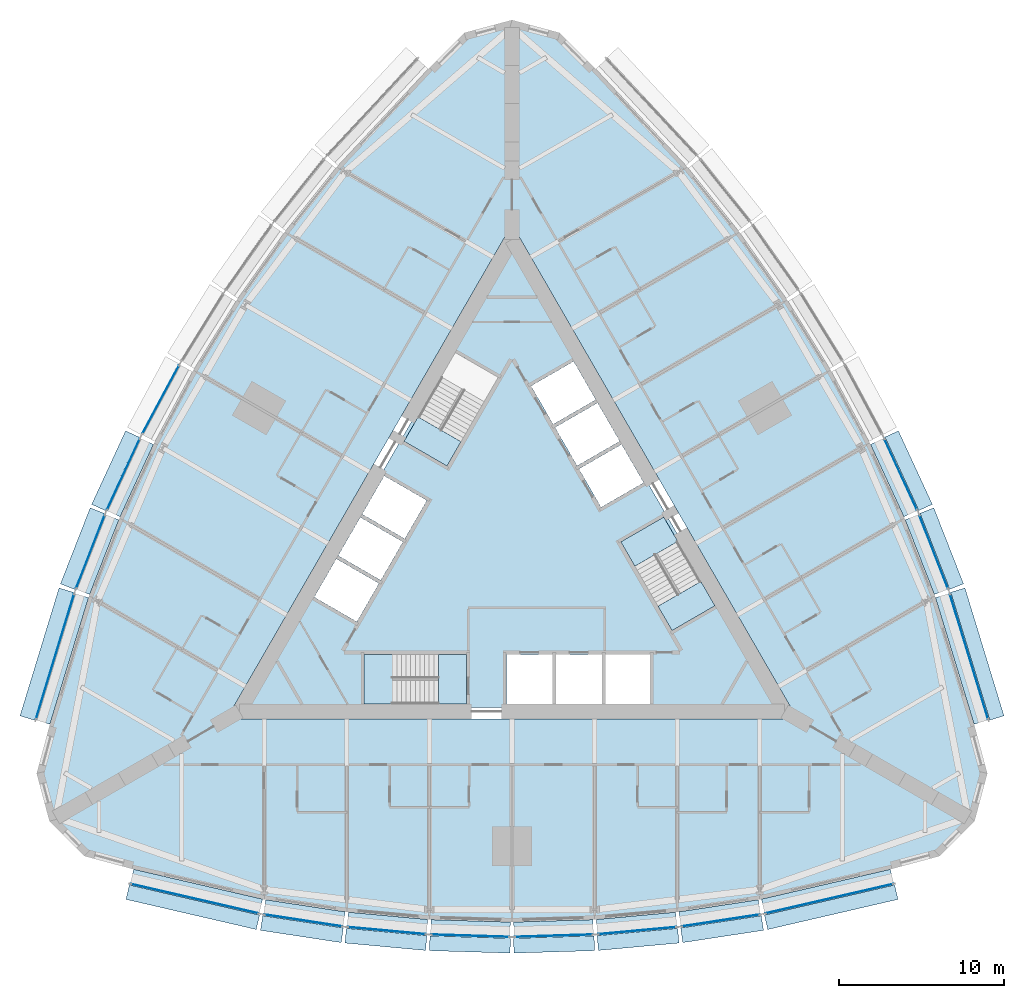
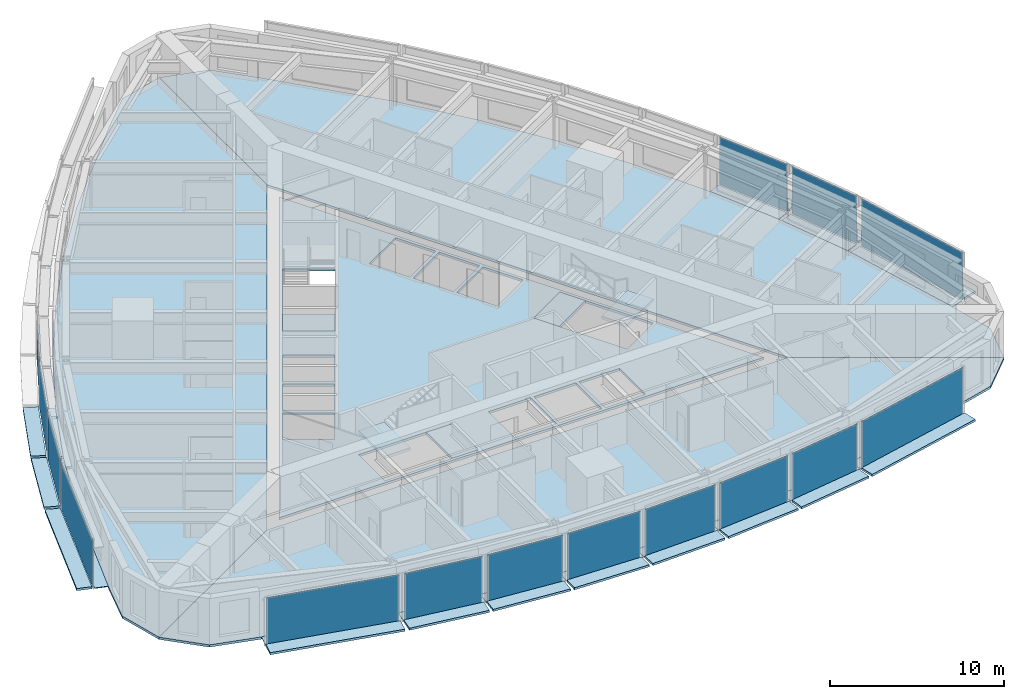
# One storey, part 6 of 14: 43 plates, 9 slabs, 18 elements without a shape of their own.
"""IFC4 building model written with IfcOpenShell, lengths in metres."""

from ifc_helpers import new_model, si_unit, direction, frame, origin, origin_2d, place, context, subcontext, project, spatial, polyline, rectangle, outline, extrude, material, layer, layer_set, type_object, element, aggregate, save


model = new_model("IFC4")

# Units and contexts
model_context = context("Model", 3, precision=1e-05, world=origin(), true_north=direction((0.0, 1.0)))
body_context = subcontext(model_context, "Body", "Model", "MODEL_VIEW")
ifc_project = project(units=[si_unit("LENGTHUNIT", "METRE"), si_unit("AREAUNIT", "SQUARE_METRE"), si_unit("VOLUMEUNIT", "CUBIC_METRE"), si_unit("PLANEANGLEUNIT", "RADIAN"), si_unit("MASSUNIT", "GRAM", prefix="KILO")], contexts=[model_context])

# Site, building, storey
site_placement = place(None, origin())
site = spatial("IfcSite", under=ifc_project, at=site_placement, CompositionType="ELEMENT")
building_placement = place(site_placement, origin())
building = spatial("IfcBuilding", under=site, at=building_placement, Name="Trikona Tower", CompositionType="ELEMENT")
storey_placement = place(building_placement, frame((0.0, 0.0, 31.89990234375)))
storey = spatial("IfcBuildingStorey", under=building, at=storey_placement, Name="L06", CompositionType="ELEMENT", Elevation=31.89990234375)

# Plates
ifc_material_1 = material(Name="Aluminium bar grating", Category="aluminium")
ifc_layer_1 = layer(ifc_material_1, 0.050048828125)
ifc_layer_set_1 = layer_set([ifc_layer_1], Name="Cavity catwalk grating")
plate_type_1 = type_object("IfcPlateType", Name="Cavity catwalk grating", PredefinedType="USERDEFINED", material=ifc_layer_set_1)
plate_1_placement = place(storey_placement, frame((-19.09228515625, -20.377197265625, -0.0498046875), z_axis=(0.0, 0.0, 1.0), x_axis=(0.974277718622, -0.225350675607, 0.0)))
element("IfcPlate", 1, at=plate_1_placement, inside=storey, type_object=plate_type_1, Name="Cavity catwalk L06-00", ObjectType="CATWALK GRATING", PredefinedType="USERDEFINED", context=body_context, shape_type="SweptSolid", body=[
    extrude(rectangle(XDim=8.01123046875, YDim=0.820068359375, at=origin_2d()), origin(), (0.0, 0.0, 1.0), 0.050048828125),
])
plate_2_placement = place(storey_placement, frame((-12.561767578125, -21.688720703125, -0.0498046875), z_axis=(0.0, 0.0, 1.0), x_axis=(0.988617896768, -0.150448177754, 0.0)))
element("IfcPlate", 2, at=plate_2_placement, inside=storey, type_object=plate_type_1, Name="Cavity catwalk L06-01", ObjectType="CATWALK GRATING", PredefinedType="USERDEFINED", context=body_context, shape_type="SweptSolid", body=[
    extrude(rectangle(XDim=4.857666015625, YDim=0.820068359375, at=origin_2d()), origin(), (0.0, 0.0, 1.0), 0.050048828125),
])
plate_3_placement = place(storey_placement, frame((-7.537353515625, -22.300537109375, -0.0498046875), z_axis=(0.0, 0.0, 1.0), x_axis=(0.995858098326, -0.090921108655, 0.0)))
element("IfcPlate", 3, at=plate_3_placement, inside=storey, type_object=plate_type_1, Name="Cavity catwalk L06-02", ObjectType="CATWALK GRATING", PredefinedType="USERDEFINED", context=body_context, shape_type="SweptSolid", body=[
    extrude(rectangle(XDim=4.82080078125, YDim=0.820068359375, at=origin_2d()), origin(), (0.0, 0.0, 1.0), 0.050048828125),
])
for number, where, z_axis, x_axis, name in (
    (4, (-2.512451171875, -22.606201171875, -0.0498046875), (0.0, 0.0, 1.0), (0.999537048889, -0.030425119525, 0.0), "Cavity catwalk L06-03"),
    (5, (2.512451171875, -22.606201171875, -0.0498046875), (0.0, 0.0, 1.0), (0.999537048889, 0.030425119525, 0.0), "Cavity catwalk L06-04"),
):
    element("IfcPlate", number, at=place(storey_placement, frame(where, z_axis=z_axis, x_axis=x_axis)), inside=storey, type_object=plate_type_1, Name=name, ObjectType="CATWALK GRATING", PredefinedType="USERDEFINED", context=body_context, shape_type="SweptSolid", body=[
        extrude(rectangle(XDim=4.80224609375, YDim=0.820068359375, at=origin_2d()), origin(), (0.0, 0.0, 1.0), 0.050048828125),
    ])
plate_4_placement = place(storey_placement, frame((7.537353515625, -22.300537109375, -0.0498046875), z_axis=(0.0, 0.0, 1.0), x_axis=(0.995858098326, 0.090921108655, 0.0)))
element("IfcPlate", 6, at=plate_4_placement, inside=storey, type_object=plate_type_1, Name="Cavity catwalk L06-05", ObjectType="CATWALK GRATING", PredefinedType="USERDEFINED", context=body_context, shape_type="SweptSolid", body=[
    extrude(rectangle(XDim=4.82080078125, YDim=0.820068359375, at=origin_2d()), origin(), (0.0, 0.0, 1.0), 0.050048828125),
])
plate_5_placement = place(storey_placement, frame((12.561767578125, -21.688720703125, -0.0498046875), z_axis=(0.0, 0.0, 1.0), x_axis=(0.988617896768, 0.150448177754, 0.0)))
element("IfcPlate", 7, at=plate_5_placement, inside=storey, type_object=plate_type_1, Name="Cavity catwalk L06-06", ObjectType="CATWALK GRATING", PredefinedType="USERDEFINED", context=body_context, shape_type="SweptSolid", body=[
    extrude(rectangle(XDim=4.857666015625, YDim=0.820068359375, at=origin_2d()), origin(), (0.0, 0.0, 1.0), 0.050048828125),
])
for number, where, z_axis, x_axis, name in (
    (8, (19.09228515625, -20.377197265625, -0.0498046875), (0.0, 0.0, 1.0), (0.974277718622, 0.225350675607, 0.0), "Cavity catwalk L06-07"),
    (9, (27.193359375, -6.345947265625, -0.0498046875), (0.0, 0.0, 1.0), (-0.291979449475, 0.956424592471, 0.0), "Cavity catwalk L06-12"),
):
    element("IfcPlate", number, at=place(storey_placement, frame(where, z_axis=z_axis, x_axis=x_axis)), inside=storey, type_object=plate_type_1, Name=name, ObjectType="CATWALK GRATING", PredefinedType="USERDEFINED", context=body_context, shape_type="SweptSolid", body=[
        extrude(rectangle(XDim=8.01123046875, YDim=0.820068359375, at=origin_2d()), origin(), (0.0, 0.0, 1.0), 0.050048828125),
    ])
plate_6_placement = place(storey_placement, frame((25.06396484375, -0.034423828125, -0.0498046875), z_axis=(0.0, 0.0, 1.0), x_axis=(-0.364008876551, 0.931395478726, 0.0)))
element("IfcPlate", 10, at=plate_6_placement, inside=storey, type_object=plate_type_1, Name="Cavity catwalk L06-13", ObjectType="CATWALK GRATING", PredefinedType="USERDEFINED", context=body_context, shape_type="SweptSolid", body=[
    extrude(rectangle(XDim=4.857666015625, YDim=0.820068359375, at=origin_2d()), origin(), (0.0, 0.0, 1.0), 0.050048828125),
])
for number, where, z_axis, x_axis, name in (
    (11, (23.081298828125, 4.622802734375, -0.0498046875), (0.0, 0.0, 1.0), (-0.41919381307, 0.907896771161, 0.0), "Cavity catwalk L06-14"),
    (12, (-23.081298828125, 4.622802734375, -0.0498046875), (0.0, 0.0, 1.0), (-0.41919381307, -0.907896771161, 0.0), "Cavity catwalk L06-29"),
):
    element("IfcPlate", number, at=place(storey_placement, frame(where, z_axis=z_axis, x_axis=x_axis)), inside=storey, type_object=plate_type_1, Name=name, ObjectType="CATWALK GRATING", PredefinedType="USERDEFINED", context=body_context, shape_type="SweptSolid", body=[
        extrude(rectangle(XDim=4.82080078125, YDim=0.820068359375, at=origin_2d()), origin(), (0.0, 0.0, 1.0), 0.050048828125),
    ])
plate_7_placement = place(storey_placement, frame((-25.06396484375, -0.034423828125, -0.0498046875), z_axis=(0.0, 0.0, 1.0), x_axis=(-0.364008876551, -0.931395478726, 0.0)))
element("IfcPlate", 13, at=plate_7_placement, inside=storey, type_object=plate_type_1, Name="Cavity catwalk L06-30", ObjectType="CATWALK GRATING", PredefinedType="USERDEFINED", context=body_context, shape_type="SweptSolid", body=[
    extrude(rectangle(XDim=4.857666015625, YDim=0.820068359375, at=origin_2d()), origin(), (0.0, 0.0, 1.0), 0.050048828125),
])
plate_8_placement = place(storey_placement, frame((-27.193359375, -6.345947265625, -0.0498046875), z_axis=(0.0, 0.0, 1.0), x_axis=(-0.291979449475, -0.956424592471, 0.0)))
element("IfcPlate", 14, at=plate_8_placement, inside=storey, type_object=plate_type_1, Name="Cavity catwalk L06-31", ObjectType="CATWALK GRATING", PredefinedType="USERDEFINED", context=body_context, shape_type="SweptSolid", body=[
    extrude(rectangle(XDim=8.01123046875, YDim=0.820068359375, at=origin_2d()), origin(), (0.0, 0.0, 1.0), 0.050048828125),
])

# Slabs
ifc_material_2 = material(Name="Concrete f'c 5000 psi lightweight on composite steel deck", Category="concrete")
ifc_layer_2 = layer(ifc_material_2, 0.1650390625)
ifc_layer_set_2 = layer_set([ifc_layer_2], Name="Composite floor slab 165")
slab_type_1 = type_object("IfcSlabType", Name="Composite floor slab 165", PredefinedType="FLOOR", material=ifc_layer_set_2)
slab_1_placement = place(storey_placement, frame((0.0, 0.0, -0.164794921875)))
element("IfcSlab", 15, at=slab_1_placement, inside=storey, type_object=slab_type_1, Name="Floor slab L06 core", PredefinedType="FLOOR", context=body_context, shape_type="SweptSolid", body=[
    extrude(outline(polyline([(-16.06689453125, -9.2763671875), (16.06689453125, -9.2763671875), (0.0, 18.552490234375), (-16.06689453125, -9.2763671875)]), holes=[polyline([(12.285400390625, -3.126220703125), (9.185302734375, 2.2431640625), (6.587158203125, 0.7431640625), (9.687255859375, -4.626220703125), (12.285400390625, -3.126220703125)]), polyline([(8.340087890625, -9.06640625), (8.340087890625, -6.086181640625), (5.659912109375, -6.086181640625), (5.659912109375, -9.06640625), (8.340087890625, -9.06640625)]), polyline([(5.390869140625, 2.835205078125), (7.9716796875, 4.3251953125), (6.631591796875, 6.646240234375), (4.05078125, 5.15625), (5.390869140625, 2.835205078125)]), polyline([(2.600830078125, 7.667724609375), (3.94091796875, 5.3466796875), (6.521484375, 6.8369140625), (5.181640625, 9.15771484375), (2.600830078125, 7.667724609375)]), polyline([(5.43994140625, -6.086181640625), (2.659912109375, -6.086181640625), (2.659912109375, -9.06640625), (5.43994140625, -9.06640625), (5.43994140625, -6.086181640625)]), polyline([(3.731689453125, 11.669189453125), (1.15087890625, 10.17919921875), (2.490966796875, 7.858154296875), (5.071533203125, 9.34814453125), (3.731689453125, 11.669189453125)]), polyline([(-0.340087890625, -6.086181640625), (-0.340087890625, -9.06640625), (2.43994140625, -9.06640625), (2.43994140625, -6.086181640625), (-0.340087890625, -6.086181640625)]), polyline([(-3.435302734375, 12.202392578125), (-6.535400390625, 6.8330078125), (-3.937255859375, 5.3330078125), (-0.837158203125, 10.702392578125), (-3.435302734375, 12.202392578125)]), polyline([(-8.949951171875, -9.076416015625), (-2.75, -9.076416015625), (-2.75, -6.076416015625), (-8.949951171875, -6.076416015625), (-8.949951171875, -9.076416015625)]), polyline([(-5.15087890625, 3.2509765625), (-7.731689453125, 4.740966796875), (-9.071533203125, 2.419921875), (-6.490966796875, 0.929931640625), (-5.15087890625, 3.2509765625)]), polyline([(-7.94091796875, -1.581298828125), (-6.600830078125, 0.739501953125), (-9.181640625, 2.2294921875), (-10.521484375, -0.09130859375), (-7.94091796875, -1.581298828125)]), polyline([(-11.9716796875, -2.602783203125), (-9.390869140625, -4.093017578125), (-8.05078125, -1.77197265625), (-10.631591796875, -0.281982421875), (-11.9716796875, -2.602783203125)])]), origin(), (0.0, 0.0, 1.0), 0.164794921875),
])
slab_2_placement = place(storey_placement, frame((0.0, 0.0, -0.164794921875)))
element("IfcSlab", 16, at=slab_2_placement, inside=storey, type_object=slab_type_1, Name="Floor slab L06 south", PredefinedType="FLOOR", context=body_context, shape_type="SweptSolid", body=[
    extrude(outline(polyline([(25.88671875, -18.279052734375), (28.0, -16.165771484375), (17.279296875, -9.976318359375), (-17.279296875, -9.976318359375), (-28.0, -16.165771484375), (-25.88671875, -18.279052734375), (-23.0, -19.052490234375), (-15.0, -20.903076171875), (-10.0, -21.663818359375), (-5.0, -22.120361328125), (0.0, -22.272705078125), (5.0, -22.120361328125), (10.0, -21.663818359375), (15.0, -20.903076171875), (23.0, -19.052490234375), (25.88671875, -18.279052734375)])), origin(), (0.0, 0.0, 1.0), 0.164794921875),
])
slab_3_placement = place(storey_placement, frame((0.0, 0.0, -0.164794921875)))
element("IfcSlab", 17, at=slab_3_placement, inside=storey, type_object=slab_type_1, Name="Floor slab L06 north-east", PredefinedType="FLOOR", context=body_context, shape_type="SweptSolid", body=[
    extrude(outline(polyline([(2.88671875, 31.55810546875), (0.0, 32.33154296875), (0.0, 19.95263671875), (17.279296875, -9.976318359375), (28.0, -16.165771484375), (28.7734375, -13.279052734375), (28.0, -10.392333984375), (25.6025390625, -2.538818359375), (23.761474609375, 2.171630859375), (21.65673828125, 6.72998046875), (19.28857421875, 11.13623046875), (16.65673828125, 15.390380859375), (13.761474609375, 19.4921875), (10.6025390625, 23.44189453125), (5.0, 29.44482421875), (2.88671875, 31.55810546875)])), origin(), (0.0, 0.0, 1.0), 0.164794921875),
])
slab_4_placement = place(storey_placement, frame((0.0, 0.0, -0.164794921875)))
element("IfcSlab", 18, at=slab_4_placement, inside=storey, type_object=slab_type_1, Name="Floor slab L06 north-west", PredefinedType="FLOOR", context=body_context, shape_type="SweptSolid", body=[
    extrude(outline(polyline([(0.0, 19.95263671875), (0.0, 32.33154296875), (-2.88671875, 31.55810546875), (-5.0, 29.44482421875), (-10.6025390625, 23.44189453125), (-13.761474609375, 19.4921875), (-16.65673828125, 15.390380859375), (-19.28857421875, 11.13623046875), (-21.65673828125, 6.72998046875), (-23.761474609375, 2.171630859375), (-25.6025390625, -2.538818359375), (-28.0, -10.392333984375), (-28.7734375, -13.279052734375), (-28.0, -16.165771484375), (-17.279296875, -9.976318359375), (0.0, 19.95263671875)])), origin(), (0.0, 0.0, 1.0), 0.164794921875),
])

# Curtain wall, plate
ifc_material_3 = material(Name="Aluminium curtain wall system", Category="aluminium")
curtain_wall_type = type_object("IfcCurtainWallType", Name="Curtain wall DS1", PredefinedType="NOTDEFINED", material=ifc_material_3)
curtain_wall_1_placement = place(storey_placement, origin())
curtain_wall_1 = element("IfcCurtainWall", 19, at=curtain_wall_1_placement, inside=storey, type_object=curtain_wall_type, Name="Curtain wall DS1 L06", PredefinedType="NOTDEFINED")
ifc_material_4 = material(Name="Laminated clear glass", Category="glass")
ifc_layer_3 = layer(ifc_material_4, 0.028076171875)
ifc_layer_set_3 = layer_set([ifc_layer_3], Name="Glass panel DS1")
plate_type_2 = type_object("IfcPlateType", Name="Glass panel DS1", PredefinedType="CURTAIN_PANEL", material=ifc_layer_set_3)
plate_9_placement = place(storey_placement, frame((-19.202880859375, -20.854736328125, 0.0), z_axis=(0.0, 0.0, 1.0), x_axis=(0.974279427173, -0.225343288756, 0.0)))
plate_9 = element("IfcPlate", 20, at=plate_9_placement, type_object=plate_type_2, Name="CW-DS1 panel 1.1", PredefinedType="CURTAIN_PANEL", context=body_context, shape_type="SweptSolid", body=[
    extrude(rectangle(XDim=7.93115234375, YDim=0.028076171875, at=origin_2d()), origin(), (0.0, 0.0, 1.0), 3.320068359375),
])
aggregate(curtain_wall_1, [plate_9])

curtain_wall_2_placement = place(storey_placement, origin())
curtain_wall_2 = element("IfcCurtainWall", 21, at=curtain_wall_2_placement, inside=storey, type_object=curtain_wall_type, Name="Curtain wall DS1 L06", PredefinedType="NOTDEFINED")
plate_10_placement = place(storey_placement, frame((-12.635498046875, -22.173095703125, 0.0), z_axis=(0.0, 0.0, 1.0), x_axis=(0.988619492156, -0.150437693845, 0.0)))
plate_10 = element("IfcPlate", 22, at=plate_10_placement, type_object=plate_type_2, Name="CW-DS1 panel 1.1", PredefinedType="CURTAIN_PANEL", context=body_context, shape_type="SweptSolid", body=[
    extrude(rectangle(XDim=4.777587890625, YDim=0.028076171875, at=origin_2d()), origin(), (0.0, 0.0, 1.0), 3.320068359375),
])
aggregate(curtain_wall_2, [plate_10])

curtain_wall_3_placement = place(storey_placement, origin())
curtain_wall_3 = element("IfcCurtainWall", 23, at=curtain_wall_3_placement, inside=storey, type_object=curtain_wall_type, Name="Curtain wall DS1 L06", PredefinedType="NOTDEFINED")
plate_11_placement = place(storey_placement, frame((-7.581787109375, -22.788330078125, 0.0), z_axis=(0.0, 0.0, 1.0), x_axis=(0.995857840485, -0.090923932737, 0.0)))
plate_11 = element("IfcPlate", 24, at=plate_11_placement, type_object=plate_type_2, Name="CW-DS1 panel 1.1", PredefinedType="CURTAIN_PANEL", context=body_context, shape_type="SweptSolid", body=[
    extrude(rectangle(XDim=4.74072265625, YDim=0.028076171875, at=origin_2d()), origin(), (0.0, 0.0, 1.0), 3.320068359375),
])
aggregate(curtain_wall_3, [plate_11])

curtain_wall_4_placement = place(storey_placement, origin())
curtain_wall_4 = element("IfcCurtainWall", 25, at=curtain_wall_4_placement, inside=storey, type_object=curtain_wall_type, Name="Curtain wall DS1 L06", PredefinedType="NOTDEFINED")
plate_12_placement = place(storey_placement, frame((-2.52734375, -23.09619140625, 0.0), z_axis=(0.0, 0.0, 1.0), x_axis=(0.999536695965, -0.030436711692, 0.0)))
plate_12 = element("IfcPlate", 26, at=plate_12_placement, type_object=plate_type_2, Name="CW-DS1 panel 1.1", PredefinedType="CURTAIN_PANEL", context=body_context, shape_type="SweptSolid", body=[
    extrude(rectangle(XDim=4.72216796875, YDim=0.028076171875, at=origin_2d()), origin(), (0.0, 0.0, 1.0), 3.320068359375),
])
aggregate(curtain_wall_4, [plate_12])

curtain_wall_5_placement = place(storey_placement, origin())
curtain_wall_5 = element("IfcCurtainWall", 27, at=curtain_wall_5_placement, inside=storey, type_object=curtain_wall_type, Name="Curtain wall DS1 L06", PredefinedType="NOTDEFINED")
plate_13_placement = place(storey_placement, frame((2.52734375, -23.09619140625, 0.0), z_axis=(0.0, 0.0, 1.0), x_axis=(0.999536695965, 0.030436711692, 0.0)))
plate_13 = element("IfcPlate", 28, at=plate_13_placement, type_object=plate_type_2, Name="CW-DS1 panel 1.1", PredefinedType="CURTAIN_PANEL", context=body_context, shape_type="SweptSolid", body=[
    extrude(rectangle(XDim=4.72216796875, YDim=0.028076171875, at=origin_2d()), origin(), (0.0, 0.0, 1.0), 3.320068359375),
])
aggregate(curtain_wall_5, [plate_13])

curtain_wall_6_placement = place(storey_placement, origin())
curtain_wall_6 = element("IfcCurtainWall", 29, at=curtain_wall_6_placement, inside=storey, type_object=curtain_wall_type, Name="Curtain wall DS1 L06", PredefinedType="NOTDEFINED")
plate_14_placement = place(storey_placement, frame((7.581787109375, -22.788330078125, 0.0), z_axis=(0.0, 0.0, 1.0), x_axis=(0.995857840485, 0.090923932737, 0.0)))
plate_14 = element("IfcPlate", 30, at=plate_14_placement, type_object=plate_type_2, Name="CW-DS1 panel 1.1", PredefinedType="CURTAIN_PANEL", context=body_context, shape_type="SweptSolid", body=[
    extrude(rectangle(XDim=4.74072265625, YDim=0.028076171875, at=origin_2d()), origin(), (0.0, 0.0, 1.0), 3.320068359375),
])
aggregate(curtain_wall_6, [plate_14])

curtain_wall_7_placement = place(storey_placement, origin())
curtain_wall_7 = element("IfcCurtainWall", 31, at=curtain_wall_7_placement, inside=storey, type_object=curtain_wall_type, Name="Curtain wall DS1 L06", PredefinedType="NOTDEFINED")
plate_15_placement = place(storey_placement, frame((12.635498046875, -22.173095703125, 0.0), z_axis=(0.0, 0.0, 1.0), x_axis=(0.988619492156, 0.150437693845, 0.0)))
plate_15 = element("IfcPlate", 32, at=plate_15_placement, type_object=plate_type_2, Name="CW-DS1 panel 1.1", PredefinedType="CURTAIN_PANEL", context=body_context, shape_type="SweptSolid", body=[
    extrude(rectangle(XDim=4.777587890625, YDim=0.028076171875, at=origin_2d()), origin(), (0.0, 0.0, 1.0), 3.320068359375),
])
aggregate(curtain_wall_7, [plate_15])

curtain_wall_8_placement = place(storey_placement, origin())
curtain_wall_8 = element("IfcCurtainWall", 33, at=curtain_wall_8_placement, inside=storey, type_object=curtain_wall_type, Name="Curtain wall DS1 L06", PredefinedType="NOTDEFINED")
plate_16_placement = place(storey_placement, frame((19.202880859375, -20.854736328125, 0.0), z_axis=(0.0, 0.0, 1.0), x_axis=(0.974279427173, 0.225343288756, 0.0)))
plate_16 = element("IfcPlate", 34, at=plate_16_placement, type_object=plate_type_2, Name="CW-DS1 panel 1.1", PredefinedType="CURTAIN_PANEL", context=body_context, shape_type="SweptSolid", body=[
    extrude(rectangle(XDim=7.93115234375, YDim=0.028076171875, at=origin_2d()), origin(), (0.0, 0.0, 1.0), 3.320068359375),
])
aggregate(curtain_wall_8, [plate_16])

curtain_wall_9_placement = place(storey_placement, origin())
curtain_wall_9 = element("IfcCurtainWall", 35, at=curtain_wall_9_placement, inside=storey, type_object=curtain_wall_type, Name="Curtain wall DS1 L06", PredefinedType="NOTDEFINED")
plate_17_placement = place(storey_placement, frame((27.662109375, -6.202880859375, 0.0), z_axis=(0.0, 0.0, 1.0), x_axis=(-0.291984287868, 0.956423115383, 0.0)))
plate_17 = element("IfcPlate", 36, at=plate_17_placement, type_object=plate_type_2, Name="CW-DS1 panel 1.1", PredefinedType="CURTAIN_PANEL", context=body_context, shape_type="SweptSolid", body=[
    extrude(rectangle(XDim=7.93115234375, YDim=0.028076171875, at=origin_2d()), origin(), (0.0, 0.0, 1.0), 3.320068359375),
])
aggregate(curtain_wall_9, [plate_17])

curtain_wall_10_placement = place(storey_placement, origin())
curtain_wall_10 = element("IfcCurtainWall", 37, at=curtain_wall_10_placement, inside=storey, type_object=curtain_wall_type, Name="Curtain wall DS1 L06", PredefinedType="NOTDEFINED")
plate_18_placement = place(storey_placement, frame((25.520263671875, 0.14404296875, 0.0), z_axis=(0.0, 0.0, 1.0), x_axis=(-0.36400756977, 0.931395989443, 0.0)))
plate_18 = element("IfcPlate", 38, at=plate_18_placement, type_object=plate_type_2, Name="CW-DS1 panel 1.1", PredefinedType="CURTAIN_PANEL", context=body_context, shape_type="SweptSolid", body=[
    extrude(rectangle(XDim=4.777587890625, YDim=0.028076171875, at=origin_2d()), origin(), (0.0, 0.0, 1.0), 3.320068359375),
])
aggregate(curtain_wall_10, [plate_18])

curtain_wall_11_placement = place(storey_placement, origin())
curtain_wall_11 = element("IfcCurtainWall", 39, at=curtain_wall_11_placement, inside=storey, type_object=curtain_wall_type, Name="Curtain wall DS1 L06", PredefinedType="NOTDEFINED")
plate_19_placement = place(storey_placement, frame((23.5263671875, 4.828125, 0.0), z_axis=(0.0, 0.0, 1.0), x_axis=(-0.419190155352, 0.907898459992, 0.0)))
plate_19 = element("IfcPlate", 40, at=plate_19_placement, type_object=plate_type_2, Name="CW-DS1 panel 1.1", PredefinedType="CURTAIN_PANEL", context=body_context, shape_type="SweptSolid", body=[
    extrude(rectangle(XDim=4.740966796875, YDim=0.028076171875, at=origin_2d()), origin(), (0.0, 0.0, 1.0), 3.320068359375),
])
aggregate(curtain_wall_11, [plate_19])

curtain_wall_12_placement = place(storey_placement, origin())
curtain_wall_12 = element("IfcCurtainWall", 41, at=curtain_wall_12_placement, inside=storey, type_object=curtain_wall_type, Name="Curtain wall DS1 L06", PredefinedType="NOTDEFINED")
plate_20_placement = place(storey_placement, frame((-21.265380859375, 9.359130859375, 0.0), z_axis=(0.0, 0.0, 1.0), x_axis=(-0.473408350896, -0.880843080975, 0.0)))
plate_20 = element("IfcPlate", 42, at=plate_20_placement, type_object=plate_type_2, Name="CW-DS1 panel 1.1", PredefinedType="CURTAIN_PANEL", context=body_context, shape_type="SweptSolid", body=[
    extrude(rectangle(XDim=4.72216796875, YDim=0.028076171875, at=origin_2d()), origin(), (0.0, 0.0, 1.0), 3.320068359375),
])
aggregate(curtain_wall_12, [plate_20])

curtain_wall_13_placement = place(storey_placement, origin())
curtain_wall_13 = element("IfcCurtainWall", 43, at=curtain_wall_13_placement, inside=storey, type_object=curtain_wall_type, Name="Curtain wall DS1 L06", PredefinedType="NOTDEFINED")
plate_21_placement = place(storey_placement, frame((-23.5263671875, 4.828125, 0.0), z_axis=(0.0, 0.0, 1.0), x_axis=(-0.419190155352, -0.907898459992, 0.0)))
plate_21 = element("IfcPlate", 44, at=plate_21_placement, type_object=plate_type_2, Name="CW-DS1 panel 1.1", PredefinedType="CURTAIN_PANEL", context=body_context, shape_type="SweptSolid", body=[
    extrude(rectangle(XDim=4.740966796875, YDim=0.028076171875, at=origin_2d()), origin(), (0.0, 0.0, 1.0), 3.320068359375),
])
aggregate(curtain_wall_13, [plate_21])

curtain_wall_14_placement = place(storey_placement, origin())
curtain_wall_14 = element("IfcCurtainWall", 45, at=curtain_wall_14_placement, inside=storey, type_object=curtain_wall_type, Name="Curtain wall DS1 L06", PredefinedType="NOTDEFINED")
plate_22_placement = place(storey_placement, frame((-25.520263671875, 0.14404296875, 0.0), z_axis=(0.0, 0.0, 1.0), x_axis=(-0.36400756977, -0.931395989443, 0.0)))
plate_22 = element("IfcPlate", 46, at=plate_22_placement, type_object=plate_type_2, Name="CW-DS1 panel 1.1", PredefinedType="CURTAIN_PANEL", context=body_context, shape_type="SweptSolid", body=[
    extrude(rectangle(XDim=4.777587890625, YDim=0.028076171875, at=origin_2d()), origin(), (0.0, 0.0, 1.0), 3.320068359375),
])
aggregate(curtain_wall_14, [plate_22])

curtain_wall_15_placement = place(storey_placement, origin())
curtain_wall_15 = element("IfcCurtainWall", 47, at=curtain_wall_15_placement, inside=storey, type_object=curtain_wall_type, Name="Curtain wall DS1 L06", PredefinedType="NOTDEFINED")
plate_23_placement = place(storey_placement, frame((-27.662109375, -6.202880859375, 0.0), z_axis=(0.0, 0.0, 1.0), x_axis=(-0.291984287868, -0.956423115383, 0.0)))
plate_23 = element("IfcPlate", 48, at=plate_23_placement, type_object=plate_type_2, Name="CW-DS1 panel 1.1", PredefinedType="CURTAIN_PANEL", context=body_context, shape_type="SweptSolid", body=[
    extrude(rectangle(XDim=7.93115234375, YDim=0.028076171875, at=origin_2d()), origin(), (0.0, 0.0, 1.0), 3.320068359375),
])
aggregate(curtain_wall_15, [plate_23])

# Plates
ifc_material_5 = material(Name="Aluminium plate fin, pale anodised, on stainless steel outriggers", Category="steel")
ifc_layer_4 = layer(ifc_material_5, 0.14990234375)
ifc_layer_set_4 = layer_set([ifc_layer_4], Name="Outer skin fin 900")
plate_type_3 = type_object("IfcPlateType", Name="Outer skin fin 900", PredefinedType="USERDEFINED", material=ifc_layer_set_4)
plate_24_placement = place(storey_placement, frame((-19.322265625, -21.37109375, 0.000244140625), z_axis=(0.0, 0.0, 1.0), x_axis=(0.974277718622, -0.225350675607, 0.0)))
element("IfcPlate", 49, at=plate_24_placement, inside=storey, type_object=plate_type_3, Name="Outer skin fin L06-00", ObjectType="FIN", PredefinedType="USERDEFINED", context=body_context, shape_type="SweptSolid", body=[
    extrude(rectangle(XDim=8.09130859375, YDim=0.89990234375, at=origin_2d()), origin(), (0.0, 0.0, 1.0), 0.14990234375),
])
plate_25_placement = place(storey_placement, frame((-12.715087890625, -22.697265625, 0.000244140625), z_axis=(0.0, 0.0, 1.0), x_axis=(0.988617896768, -0.150448177754, 0.0)))
element("IfcPlate", 50, at=plate_25_placement, inside=storey, type_object=plate_type_3, Name="Outer skin fin L06-01", ObjectType="FIN", PredefinedType="USERDEFINED", context=body_context, shape_type="SweptSolid", body=[
    extrude(rectangle(XDim=4.9375, YDim=0.89990234375, at=origin_2d()), origin(), (0.0, 0.0, 1.0), 0.14990234375),
])
plate_26_placement = place(storey_placement, frame((-7.6298828125, -23.316162109375, 0.000244140625), z_axis=(0.0, 0.0, 1.0), x_axis=(0.995858098326, -0.090921108655, 0.0)))
element("IfcPlate", 51, at=plate_26_placement, inside=storey, type_object=plate_type_3, Name="Outer skin fin L06-02", ObjectType="FIN", PredefinedType="USERDEFINED", context=body_context, shape_type="SweptSolid", body=[
    extrude(rectangle(XDim=4.90087890625, YDim=0.89990234375, at=origin_2d()), origin(), (0.0, 0.0, 1.0), 0.14990234375),
])
for number, where, z_axis, x_axis, name in (
    (52, (-2.54345703125, -23.625732421875, 0.000244140625), (0.0, 0.0, 1.0), (0.999537048889, -0.030425119525, 0.0), "Outer skin fin L06-03"),
    (53, (2.54345703125, -23.625732421875, 0.000244140625), (0.0, 0.0, 1.0), (0.999537048889, 0.030425119525, 0.0), "Outer skin fin L06-04"),
):
    element("IfcPlate", number, at=place(storey_placement, frame(where, z_axis=z_axis, x_axis=x_axis)), inside=storey, type_object=plate_type_3, Name=name, ObjectType="FIN", PredefinedType="USERDEFINED", context=body_context, shape_type="SweptSolid", body=[
        extrude(rectangle(XDim=4.88232421875, YDim=0.89990234375, at=origin_2d()), origin(), (0.0, 0.0, 1.0), 0.14990234375),
    ])
plate_27_placement = place(storey_placement, frame((7.6298828125, -23.316162109375, 0.000244140625), z_axis=(0.0, 0.0, 1.0), x_axis=(0.995858098326, 0.090921108655, 0.0)))
element("IfcPlate", 54, at=plate_27_placement, inside=storey, type_object=plate_type_3, Name="Outer skin fin L06-05", ObjectType="FIN", PredefinedType="USERDEFINED", context=body_context, shape_type="SweptSolid", body=[
    extrude(rectangle(XDim=4.90087890625, YDim=0.89990234375, at=origin_2d()), origin(), (0.0, 0.0, 1.0), 0.14990234375),
])
plate_28_placement = place(storey_placement, frame((12.715087890625, -22.697265625, 0.000244140625), z_axis=(0.0, 0.0, 1.0), x_axis=(0.988617896768, 0.150448177754, 0.0)))
element("IfcPlate", 55, at=plate_28_placement, inside=storey, type_object=plate_type_3, Name="Outer skin fin L06-06", ObjectType="FIN", PredefinedType="USERDEFINED", context=body_context, shape_type="SweptSolid", body=[
    extrude(rectangle(XDim=4.9375, YDim=0.89990234375, at=origin_2d()), origin(), (0.0, 0.0, 1.0), 0.14990234375),
])
for number, where, z_axis, x_axis, name in (
    (56, (19.322265625, -21.37109375, 0.000244140625), (0.0, 0.0, 1.0), (0.974277718622, 0.225350675607, 0.0), "Outer skin fin L06-07"),
    (57, (28.1689453125, -6.048095703125, 0.000244140625), (0.0, 0.0, 1.0), (-0.291979449475, 0.956424592471, 0.0), "Outer skin fin L06-12"),
):
    element("IfcPlate", number, at=place(storey_placement, frame(where, z_axis=z_axis, x_axis=x_axis)), inside=storey, type_object=plate_type_3, Name=name, ObjectType="FIN", PredefinedType="USERDEFINED", context=body_context, shape_type="SweptSolid", body=[
        extrude(rectangle(XDim=8.09130859375, YDim=0.89990234375, at=origin_2d()), origin(), (0.0, 0.0, 1.0), 0.14990234375),
    ])
plate_29_placement = place(storey_placement, frame((26.013916015625, 0.3369140625, 0.000244140625), z_axis=(0.0, 0.0, 1.0), x_axis=(-0.364008876551, 0.931395478726, 0.0)))
element("IfcPlate", 58, at=plate_29_placement, inside=storey, type_object=plate_type_3, Name="Outer skin fin L06-13", ObjectType="FIN", PredefinedType="USERDEFINED", context=body_context, shape_type="SweptSolid", body=[
    extrude(rectangle(XDim=4.9375, YDim=0.89990234375, at=origin_2d()), origin(), (0.0, 0.0, 1.0), 0.14990234375),
])
for number, where, z_axis, x_axis, name in (
    (59, (24.00732421875, 5.05029296875, 0.000244140625), (0.0, 0.0, 1.0), (-0.41919381307, 0.907896771161, 0.0), "Outer skin fin L06-14"),
    (60, (-24.00732421875, 5.05029296875, 0.000244140625), (0.0, 0.0, 1.0), (-0.41919381307, -0.907896771161, 0.0), "Outer skin fin L06-29"),
):
    element("IfcPlate", number, at=place(storey_placement, frame(where, z_axis=z_axis, x_axis=x_axis)), inside=storey, type_object=plate_type_3, Name=name, ObjectType="FIN", PredefinedType="USERDEFINED", context=body_context, shape_type="SweptSolid", body=[
        extrude(rectangle(XDim=4.90087890625, YDim=0.89990234375, at=origin_2d()), origin(), (0.0, 0.0, 1.0), 0.14990234375),
    ])
plate_30_placement = place(storey_placement, frame((-26.013916015625, 0.3369140625, 0.000244140625), z_axis=(0.0, 0.0, 1.0), x_axis=(-0.364008876551, -0.931395478726, 0.0)))
element("IfcPlate", 61, at=plate_30_placement, inside=storey, type_object=plate_type_3, Name="Outer skin fin L06-30", ObjectType="FIN", PredefinedType="USERDEFINED", context=body_context, shape_type="SweptSolid", body=[
    extrude(rectangle(XDim=4.9375, YDim=0.89990234375, at=origin_2d()), origin(), (0.0, 0.0, 1.0), 0.14990234375),
])
plate_31_placement = place(storey_placement, frame((-28.1689453125, -6.048095703125, 0.000244140625), z_axis=(0.0, 0.0, 1.0), x_axis=(-0.291979449475, -0.956424592471, 0.0)))
element("IfcPlate", 62, at=plate_31_placement, inside=storey, type_object=plate_type_3, Name="Outer skin fin L06-31", ObjectType="FIN", PredefinedType="USERDEFINED", context=body_context, shape_type="SweptSolid", body=[
    extrude(rectangle(XDim=8.09130859375, YDim=0.89990234375, at=origin_2d()), origin(), (0.0, 0.0, 1.0), 0.14990234375),
])

# Stair, slabs
ifc_material_6 = material(Name="Concrete f'c 5000 psi", Category="concrete")
stair_type = type_object("IfcStairType", Name="Core stair", PredefinedType="HALF_TURN_STAIR", material=ifc_material_6)
stair_1_placement = place(storey_placement, origin())
stair_1 = element("IfcStair", 63, at=stair_1_placement, inside=storey, type_object=stair_type, Name="Stair A L06", PredefinedType="HALF_TURN_STAIR")
ifc_material_7 = material(Name="Concrete f'c 5000 psi", Category="concrete")
ifc_layer_5 = layer(ifc_material_7, 0.199951171875)
ifc_layer_set_5 = layer_set([ifc_layer_5], Name="Stair landing 200")
slab_type_2 = type_object("IfcSlabType", Name="Stair landing 200", PredefinedType="LANDING", material=ifc_layer_set_5)
slab_5_placement = place(storey_placement, frame((0.0, 0.0, -0.199951171875)))
slab_5 = element("IfcSlab", 64, at=slab_5_placement, type_object=slab_type_2, Name="ST-A landing 1", PredefinedType="LANDING", context=body_context, shape_type="SweptSolid", body=[
    extrude(outline(polyline([(-4.452880859375, -6.076416015625), (-2.75, -6.076416015625), (-2.75, -9.076416015625), (-4.452880859375, -9.076416015625), (-4.452880859375, -6.076416015625)])), origin(), (0.0, 0.0, 1.0), 0.199951171875),
])
slab_6_placement = place(storey_placement, frame((0.0, 0.0, 1.5)))
slab_6 = element("IfcSlab", 65, at=slab_6_placement, type_object=slab_type_2, Name="ST-A landing 2", PredefinedType="LANDING", context=body_context, shape_type="SweptSolid", body=[
    extrude(outline(polyline([(-8.949951171875, -6.076416015625), (-7.2470703125, -6.076416015625), (-7.2470703125, -9.076416015625), (-8.949951171875, -9.076416015625), (-8.949951171875, -6.076416015625)])), origin(), (0.0, 0.0, 1.0), 0.2001953125),
])
aggregate(stair_1, [slab_5, slab_6])

stair_2_placement = place(storey_placement, origin())
stair_2 = element("IfcStair", 66, at=stair_2_placement, inside=storey, type_object=stair_type, Name="Stair B L06", PredefinedType="HALF_TURN_STAIR")
slab_7_placement = place(storey_placement, frame((0.0, 0.0, -0.199951171875)))
slab_7 = element("IfcSlab", 67, at=slab_7_placement, type_object=slab_type_2, Name="ST-B landing 1", PredefinedType="LANDING", context=body_context, shape_type="SweptSolid", body=[
    extrude(outline(polyline([(7.438720703125, -0.731689453125), (6.587158203125, 0.7431640625), (9.185302734375, 2.2431640625), (10.036865234375, 0.768310546875), (7.438720703125, -0.731689453125)])), origin(), (0.0, 0.0, 1.0), 0.199951171875),
])
slab_8_placement = place(storey_placement, frame((0.0, 0.0, 1.5)))
slab_8 = element("IfcSlab", 68, at=slab_8_placement, type_object=slab_type_2, Name="ST-B landing 2", PredefinedType="LANDING", context=body_context, shape_type="SweptSolid", body=[
    extrude(outline(polyline([(9.687255859375, -4.626220703125), (8.835693359375, -3.1513671875), (11.433837890625, -1.6513671875), (12.285400390625, -3.126220703125), (9.687255859375, -4.626220703125)])), origin(), (0.0, 0.0, 1.0), 0.2001953125),
])
aggregate(stair_2, [slab_7, slab_8])

# Stair, slab
stair_3_placement = place(storey_placement, origin())
stair_3 = element("IfcStair", 69, at=stair_3_placement, inside=storey, type_object=stair_type, Name="Stair C L06", PredefinedType="HALF_TURN_STAIR")
slab_9_placement = place(storey_placement, frame((0.0, 0.0, -0.199951171875)))
slab_9 = element("IfcSlab", 70, at=slab_9_placement, type_object=slab_type_2, Name="ST-C landing 1", PredefinedType="LANDING", context=body_context, shape_type="SweptSolid", body=[
    extrude(outline(polyline([(-3.085693359375, 6.807861328125), (-3.937255859375, 5.3330078125), (-6.535400390625, 6.8330078125), (-5.683837890625, 8.307861328125), (-3.085693359375, 6.807861328125)])), origin(), (0.0, 0.0, 1.0), 0.199951171875),
])
aggregate(stair_3, [slab_9])

save(model, "model.ifc")
